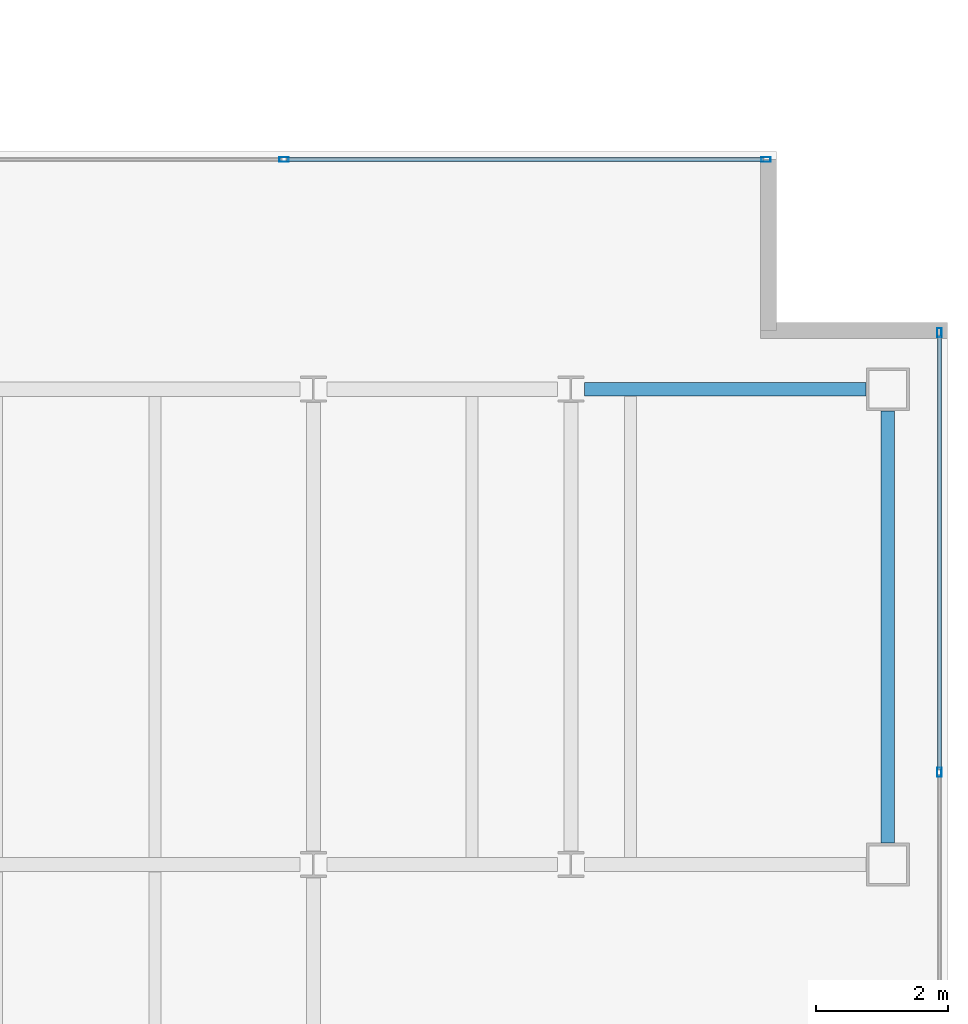
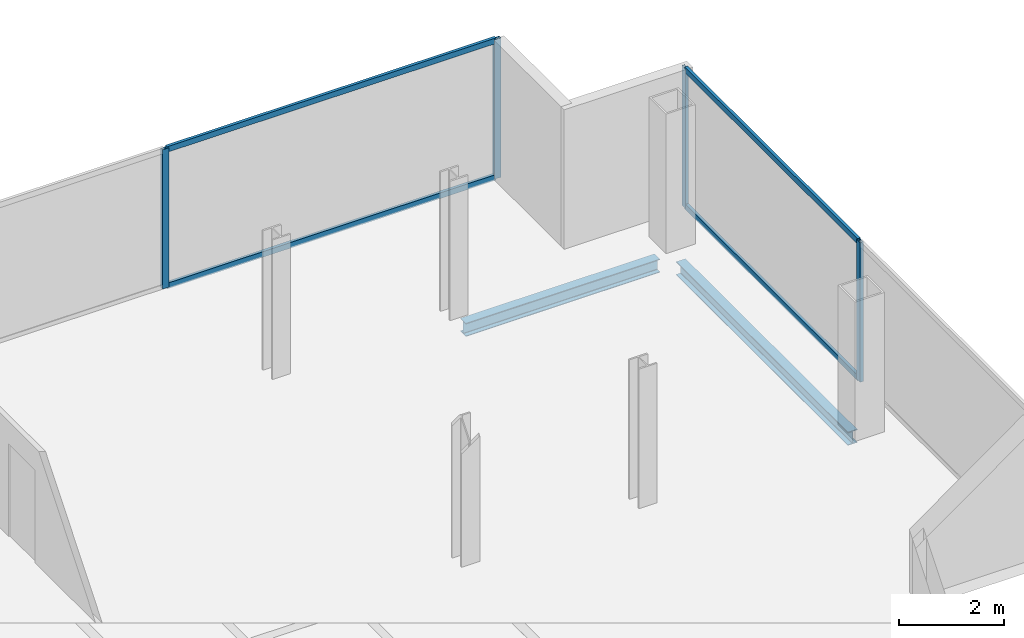
# One storey, part 16 of 23: 8 members, 2 beams, 2 elements without a shape of their own.
"""IFC4 building model written with IfcOpenShell, lengths in metres."""

from ifc_helpers import new_model, si_unit, direction, frame, origin, origin_2d, place, context, subcontext, project, spatial, hollow_rectangle, i_section, extrude, material, material_profile, profile_set, type_object, element, aggregate, save


model = new_model("IFC4")

# Units and contexts
model_context = context("Model", 3, precision=1e-05, world=origin(), true_north=direction((0.0, 1.0)))
body_context = subcontext(model_context, "Body", "Model", "MODEL_VIEW")
ifc_project = project(units=[si_unit("LENGTHUNIT", "METRE"), si_unit("AREAUNIT", "SQUARE_METRE"), si_unit("VOLUMEUNIT", "CUBIC_METRE"), si_unit("PLANEANGLEUNIT", "RADIAN"), si_unit("MASSUNIT", "GRAM", prefix="KILO")], contexts=[model_context])

# Site, building, storey
site_placement = place(None, origin())
site = spatial("IfcSite", under=ifc_project, at=site_placement, CompositionType="ELEMENT")
building_placement = place(site_placement, origin())
building = spatial("IfcBuilding", under=site, at=building_placement, Name="Cobrela Telecom Tower", CompositionType="ELEMENT")
storey_placement = place(building_placement, frame((0.0, 0.0, 265.64990234375)))
storey = spatial("IfcBuildingStorey", under=building, at=storey_placement, Name="L69", CompositionType="ELEMENT", Elevation=265.64990234375)

# Beams
ifc_material_1 = material(Name="Steel ASTM A992 Grade 50", Category="steel")
ifc_material_profile_1 = material_profile(ifc_material_1, i_section(OverallWidth=0.205078125, OverallDepth=0.31005859375, WebThickness=0.009521484375, FlangeThickness=0.016357421875, FilletRadius=0.010986328125, at=origin_2d()), Name="W12X50")
ifc_profile_set_1 = profile_set([ifc_material_profile_1], Name="Steel ASTM A992 Grade 50")
beam_type = type_object("IfcBeamType", Name="BM-SPAND-07", PredefinedType="SPANDREL", material=ifc_profile_set_1)
beam_1_placement = place(storey_placement, frame((40.1044921875, 21.60009765625, -0.414794921875), z_axis=(1.0, 0.0, 0.0), x_axis=(0.0, 1.0, 0.0)))
element("IfcBeam", 1, at=beam_1_placement, inside=storey, type_object=beam_type, Name="L69 Perimeter Spandrel X14", PredefinedType="SPANDREL", context=body_context, shape_type="SweptSolid", body=[
    extrude(i_section(OverallWidth=0.205078125, OverallDepth=0.31005859375, WebThickness=0.009521484375, FlangeThickness=0.016357421875, FilletRadius=0.010986328125, at=origin_2d()), origin(), (0.0, 0.0, 1.0), 4.265625),
])
beam_2_placement = place(storey_placement, frame((44.699951171875, 14.72998046875, -0.414794921875), z_axis=(0.0, 1.0, 0.0), x_axis=(-1.0, 0.0, 0.0)))
element("IfcBeam", 2, at=beam_2_placement, inside=storey, type_object=beam_type, Name="L69 Perimeter Spandrel Y34", PredefinedType="SPANDREL", context=body_context, shape_type="SweptSolid", body=[
    extrude(i_section(OverallWidth=0.205078125, OverallDepth=0.31005859375, WebThickness=0.009521484375, FlangeThickness=0.016357421875, FilletRadius=0.010986328125, at=origin_2d()), origin(), (0.0, 0.0, 1.0), 6.5400390625),
])

# Curtain wall, members
ifc_material_2 = material(Name="Anodized Bronze Aluminium 6063-T6", Category="aluminium")
curtain_wall_type = type_object("IfcCurtainWallType", Name="CW-SYS-OFF-HI", PredefinedType="USERDEFINED", material=ifc_material_2)
curtain_wall_1_placement = place(storey_placement, origin())
curtain_wall_1 = element("IfcCurtainWall", 3, at=curtain_wall_1_placement, inside=storey, type_object=curtain_wall_type, Name="L69 Unitised Bronze Curtain Wall 09", ObjectType="UNITISED CURTAIN WALL", PredefinedType="USERDEFINED")
ifc_material_profile_2 = material_profile(ifc_material_2, hollow_rectangle(XDim=0.070068359375, YDim=0.139892578125, WallThickness=0.00390625, at=origin_2d()), Name="ALU 70x140x4")
ifc_profile_set_2 = profile_set([ifc_material_profile_2], Name="Anodized Bronze Aluminium 6063-T6")
member_type_1 = type_object("IfcMemberType", Name="CW-SYS-OFF-HI-MUL", PredefinedType="MULLION", material=ifc_profile_set_2)
member_1_placement = place(storey_placement, frame((35.55322265625, 25.080078125, 0.0), z_axis=(0.0, 0.0, 1.0), x_axis=(0.0, 1.0, 0.0)))
member_1 = element("IfcMember", 4, at=member_1_placement, type_object=member_type_1, Name="CW-OFF-HI mullion 3", PredefinedType="MULLION", context=body_context, shape_type="SweptSolid", body=[
    extrude(hollow_rectangle(XDim=0.070068359375, YDim=0.139892578125, WallThickness=0.00390625, at=origin_2d()), origin(), (0.0, 0.0, 1.0), 3.239990234375),
])
member_2_placement = place(storey_placement, frame((42.85498046875, 25.080078125, 0.0), z_axis=(0.0, 0.0, 1.0), x_axis=(0.0, 1.0, 0.0)))
member_2 = element("IfcMember", 5, at=member_2_placement, type_object=member_type_1, Name="CW-OFF-HI mullion 4", PredefinedType="MULLION", context=body_context, shape_type="SweptSolid", body=[
    extrude(hollow_rectangle(XDim=0.070068359375, YDim=0.139892578125, WallThickness=0.00390625, at=origin_2d()), origin(), (0.0, 0.0, 1.0), 3.239990234375),
])

curtain_wall_2_placement = place(storey_placement, origin())
curtain_wall_2 = element("IfcCurtainWall", 6, at=curtain_wall_2_placement, inside=storey, type_object=curtain_wall_type, Name="L69 Unitised Bronze Curtain Wall 12", ObjectType="UNITISED CURTAIN WALL", PredefinedType="USERDEFINED")
member_3_placement = place(storey_placement, frame((45.47998046875, 22.455078125, 0.0), z_axis=(0.0, 0.0, 1.0), x_axis=(1.0, 0.0, 0.0)))
member_3 = element("IfcMember", 7, at=member_3_placement, type_object=member_type_1, Name="CW-OFF-HI mullion 1", PredefinedType="MULLION", context=body_context, shape_type="SweptSolid", body=[
    extrude(hollow_rectangle(XDim=0.070068359375, YDim=0.139892578125, WallThickness=0.00390625, at=origin_2d()), origin(), (0.0, 0.0, 1.0), 3.239990234375),
])
member_4_placement = place(storey_placement, frame((45.47998046875, 15.800048828125, 0.0), z_axis=(0.0, 0.0, 1.0), x_axis=(1.0, 0.0, 0.0)))
member_4 = element("IfcMember", 8, at=member_4_placement, type_object=member_type_1, Name="CW-OFF-HI mullion 2", PredefinedType="MULLION", context=body_context, shape_type="SweptSolid", body=[
    extrude(hollow_rectangle(XDim=0.070068359375, YDim=0.139892578125, WallThickness=0.00390625, at=origin_2d()), origin(), (0.0, 0.0, 1.0), 3.239990234375),
])

# Member
ifc_material_profile_3 = material_profile(ifc_material_2, hollow_rectangle(XDim=0.06494140625, YDim=0.1298828125, WallThickness=0.00390625, at=origin_2d()), Name="ALU 65x130x4")
ifc_profile_set_3 = profile_set([ifc_material_profile_3], Name="Anodized Bronze Aluminium 6063-T6")
member_type_2 = type_object("IfcMemberType", Name="CW-SYS-OFF-HI-TRN", PredefinedType="USERDEFINED", material=ifc_profile_set_3)
member_5_placement = place(storey_placement, frame((35.58837890625, 25.080078125, 0.03271484375), z_axis=(1.0, 0.0, 0.0), x_axis=(0.0, 1.0, 0.0)))
member_5 = element("IfcMember", 9, at=member_5_placement, type_object=member_type_2, Name="CW-OFF-HI transom 3.1", ObjectType="TRANSOM", PredefinedType="USERDEFINED", context=body_context, shape_type="SweptSolid", body=[
    extrude(hollow_rectangle(XDim=0.06494140625, YDim=0.1298828125, WallThickness=0.00390625, at=origin_2d()), origin(), (0.0, 0.0, 1.0), 7.231689453125),
])

member_6_placement = place(storey_placement, frame((35.58837890625, 25.080078125, 3.20751953125), z_axis=(1.0, 0.0, 0.0), x_axis=(0.0, 1.0, 0.0)))
member_6 = element("IfcMember", 10, at=member_6_placement, type_object=member_type_2, Name="CW-OFF-HI transom 3.2", ObjectType="TRANSOM", PredefinedType="USERDEFINED", context=body_context, shape_type="SweptSolid", body=[
    extrude(hollow_rectangle(XDim=0.06494140625, YDim=0.1298828125, WallThickness=0.00390625, at=origin_2d()), origin(), (0.0, 0.0, 1.0), 7.231689453125),
])

aggregate(curtain_wall_1, [member_1, member_2, member_5, member_6])

member_7_placement = place(storey_placement, frame((45.47998046875, 22.419921875, 0.03271484375), z_axis=(0.0, -1.0, 0.0), x_axis=(1.0, 0.0, 0.0)))
member_7 = element("IfcMember", 11, at=member_7_placement, type_object=member_type_2, Name="CW-OFF-HI transom 1.1", ObjectType="TRANSOM", PredefinedType="USERDEFINED", context=body_context, shape_type="SweptSolid", body=[
    extrude(hollow_rectangle(XDim=0.06494140625, YDim=0.1298828125, WallThickness=0.00390625, at=origin_2d()), origin(), (0.0, 0.0, 1.0), 6.5849609375),
])

member_8_placement = place(storey_placement, frame((45.47998046875, 22.419921875, 3.20751953125), z_axis=(0.0, -1.0, 0.0), x_axis=(1.0, 0.0, 0.0)))
member_8 = element("IfcMember", 12, at=member_8_placement, type_object=member_type_2, Name="CW-OFF-HI transom 1.2", ObjectType="TRANSOM", PredefinedType="USERDEFINED", context=body_context, shape_type="SweptSolid", body=[
    extrude(hollow_rectangle(XDim=0.06494140625, YDim=0.1298828125, WallThickness=0.00390625, at=origin_2d()), origin(), (0.0, 0.0, 1.0), 6.5849609375),
])

aggregate(curtain_wall_2, [member_3, member_4, member_7, member_8])

save(model, "model.ifc")
